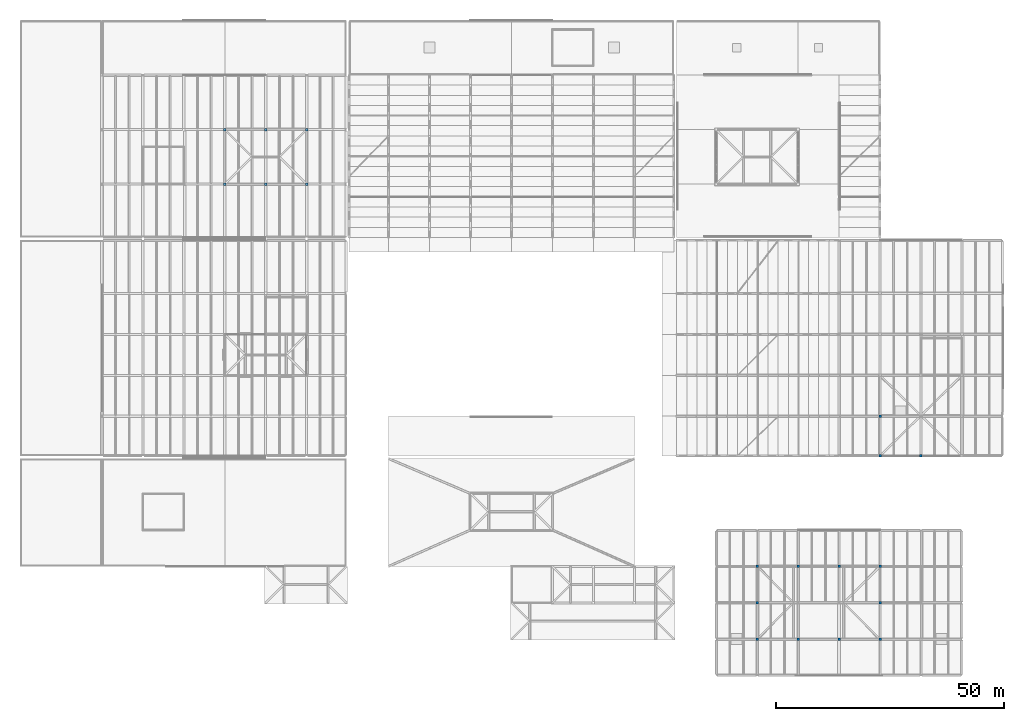
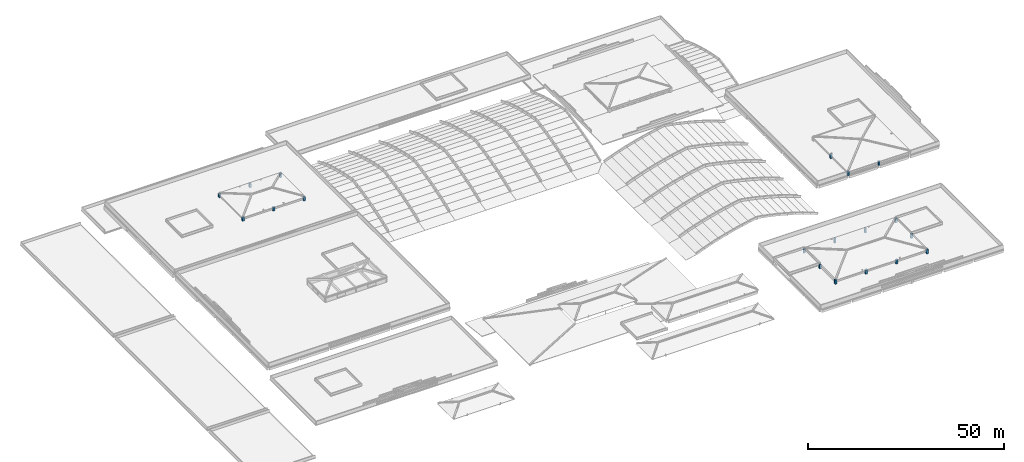
# One storey, part 2 of 56: 19 columns.
"""IFC4 building model written with IfcOpenShell, lengths in metres."""

import ifcopenshell
import ifcopenshell.guid

model = None  # the IFC model being written
_history = None  # IfcOwnerHistory: only IFC2X3 demands one
_inside = {}  # id of a spatial element -> (the spatial element, [elements in it])
_under = {}  # id of a project, library or spatial element -> (it, [spatial elements below it])
_declared = {}  # id of a project -> (the project, [libraries it declares])
_typed = {}  # id of a type object -> (the type object, [elements of that type])
_made_of = {}  # id of a material, layer set ... -> (it, [elements and type objects made of it])


def new_model(schema):
    """Start an empty IFC model of exactly this schema.

    Asked for "IFC4X3", IfcOpenShell would pick the latest addendum, in which some entities
    have other attributes; the version numbers below select the first issue.
    IFC2X3 requires an IfcOwnerHistory on every rooted entity: one is made here for all.
    """
    global model, _history
    if schema == "IFC4X3":
        model = ifcopenshell.file(schema_version=(4, 3, 0, 0))
    else:
        model = ifcopenshell.file(schema=schema)
    _inside.clear()
    _under.clear()
    _declared.clear()
    _typed.clear()
    _made_of.clear()
    _history = None
    if model.schema == "IFC2X3":
        org = make("IfcOrganization", Name="unknown")
        user = make(
            "IfcPersonAndOrganization",
            ThePerson=make("IfcPerson", FamilyName="unknown"),
            TheOrganization=org,
        )
        app = make(
            "IfcApplication",
            ApplicationDeveloper=org,
            Version="unknown",
            ApplicationFullName="unknown",
            ApplicationIdentifier="unknown",
        )
        _history = make(
            "IfcOwnerHistory",
            OwningUser=user,
            OwningApplication=app,
            ChangeAction="ADDED",
            CreationDate=0,
        )
    return model


def make(cls, **values):
    """One entity of the class cls with the attributes given. An attribute that is None is left unset."""
    return model.create_entity(
        cls, **{name: value for name, value in values.items() if value is not None}
    )


def rooted(cls, **values):
    """An entity with a GlobalId (a new one), such as an element, a storey or a relation."""
    return make(cls, GlobalId=ifcopenshell.guid.new(), OwnerHistory=_history, **values)


def si_unit(unit_type, name, prefix=None):
    """IfcSIUnit, for example si_unit("LENGTHUNIT", "METRE", prefix="MILLI")."""
    return make("IfcSIUnit", UnitType=unit_type, Prefix=prefix, Name=name)


def assignment(units):
    """IfcUnitAssignment: the units of a project."""
    return None if units is None else make("IfcUnitAssignment", Units=units)


def point(xyz):
    """IfcCartesianPoint."""
    return None if xyz is None else make("IfcCartesianPoint", Coordinates=xyz)


def direction(xyz):
    """IfcDirection."""
    return None if xyz is None else make("IfcDirection", DirectionRatios=xyz)


def frame(location, z_axis=None, x_axis=None):
    """IfcAxis2Placement3D, a coordinate frame: its origin and axes. An axis left out is left unset."""
    return make(
        "IfcAxis2Placement3D",
        Location=point(location),
        Axis=direction(z_axis),
        RefDirection=direction(x_axis),
    )


def frame_2d(location, x_axis=None):
    """IfcAxis2Placement2D, a coordinate frame in the plane: its origin and x axis."""
    return make(
        "IfcAxis2Placement2D", Location=point(location), RefDirection=direction(x_axis)
    )


def origin():
    """The frame at (0, 0, 0) with its axes left unset."""
    return frame((0.0, 0.0, 0.0))


def origin_2d():
    """The frame at (0, 0) in the plane with its x axis left unset."""
    return frame_2d((0.0, 0.0))


def place(relative_to, where):
    """IfcLocalPlacement: puts the frame where relative to a parent placement (None: the world)."""
    return make(
        "IfcLocalPlacement", PlacementRelTo=relative_to, RelativePlacement=where
    )


def context(
    kind, dimensions, precision=None, world=None, true_north=None, identifier=None
):
    """IfcGeometricRepresentationContext, for example the 3D "Model" context."""
    return make(
        "IfcGeometricRepresentationContext",
        ContextIdentifier=identifier,
        ContextType=kind,
        CoordinateSpaceDimension=dimensions,
        Precision=precision,
        WorldCoordinateSystem=world,
        TrueNorth=true_north,
    )


def subcontext(parent, identifier, kind, view, scale=None):
    """IfcGeometricRepresentationSubContext, for example "Body" below "Model"."""
    return make(
        "IfcGeometricRepresentationSubContext",
        ContextIdentifier=identifier,
        ContextType=kind,
        ParentContext=parent,
        TargetScale=scale,
        TargetView=view,
    )


def project(units=None, contexts=None):
    """IfcProject with its units and contexts."""
    return rooted(
        "IfcProject",
        Name="project",
        RepresentationContexts=contexts,
        UnitsInContext=assignment(units),
    )


def spatial(cls, under=None, at=None, **own):
    """A site, building, storey or space (cls), placed at a placement, below another one or the project."""
    s = rooted(cls, ObjectPlacement=at, **own)
    if under is not None:
        _under.setdefault(under.id(), (under, []))[1].append(s)
    return s


def profile(cls, at=None, kind="AREA", **sizes):
    """A parametric profile (cls). Its sizes go by their IFC names, for example OverallWidth=200.0."""
    return make(cls, ProfileType=kind, Position=at, **sizes)


def rectangle(**sizes):
    """IfcRectangleProfileDef."""
    return profile("IfcRectangleProfileDef", **sizes)


def extrude(swept, where, along, depth):
    """IfcExtrudedAreaSolid: the profile swept, set in the frame where, extruded along a direction by depth."""
    return make(
        "IfcExtrudedAreaSolid",
        SweptArea=swept,
        Position=where,
        ExtrudedDirection=direction(along),
        Depth=depth,
    )


def shape(context_of_items, identifier, shape_type, items):
    """IfcShapeRepresentation: the items that make up one representation, for example the "Body"."""
    return make(
        "IfcShapeRepresentation",
        ContextOfItems=context_of_items,
        RepresentationIdentifier=identifier,
        RepresentationType=shape_type,
        Items=items,
    )


def material(Name=None, Category=None):
    """IfcMaterial."""
    return make("IfcMaterial", Name=Name, Category=Category)


def material_profile(
    of_material, cross_section, Name=None, Category=None, Priority=None
):
    """IfcMaterialProfile: a cross section and its material."""
    return make(
        "IfcMaterialProfile",
        Name=Name,
        Material=of_material,
        Profile=cross_section,
        Priority=Priority,
        Category=Category,
    )


def profile_set(profiles, Name=None, composite=None):
    """IfcMaterialProfileSet."""
    return make(
        "IfcMaterialProfileSet",
        Name=Name,
        MaterialProfiles=profiles,
        CompositeProfile=composite,
    )


def made_of(thing, what):
    """Note that an element or type object is made of a material, layer set ...; save() writes the relation."""
    if what is not None:
        _made_of.setdefault(what.id(), (what, []))[1].append(thing)
    return thing


def type_object(cls, material=None, **own):
    """A type object (cls), such as IfcWallType, which elements share."""
    return made_of(rooted(cls, **own), material)


def element(
    cls,
    number,
    at=None,
    inside=None,
    cuts=None,
    type_object=None,
    material=None,
    context=None,
    identifier="Body",
    shape_type=None,
    held_by="IfcProductDefinitionShape",
    body=None,
    shapes=None,
    **own,
):
    """One element of the class cls, such as IfcWall. Its Tag is "e" and its number.

    at: its placement. inside: the storey or other place that contains it. cuts: it is an
    opening in that element (IfcRelVoidsElement). A single representation is given by context,
    identifier, shape_type and body (its items); several are given by shapes. held_by: the class
    of the entity that holds the representations. save() writes the other relations.
    """
    e = rooted(cls, Tag="e%d" % number, ObjectPlacement=at, **own)
    if body is not None:
        shapes = [shape(context, identifier, shape_type, body)]
    if shapes is not None:
        e.Representation = make(held_by, Representations=shapes)
    if inside is not None:
        _inside.setdefault(inside.id(), (inside, []))[1].append(e)
    if cuts is not None:
        rooted(
            "IfcRelVoidsElement", RelatingBuildingElement=cuts, RelatedOpeningElement=e
        )
    if type_object is not None:
        _typed.setdefault(type_object.id(), (type_object, []))[1].append(e)
    return made_of(e, material)


def aggregate(whole, parts):
    """IfcRelAggregates: a whole, such as a stair, and the parts it consists of."""
    return rooted("IfcRelAggregates", RelatingObject=whole, RelatedObjects=parts)


def save(model, path):
    """Write the relations noted so far, then the file.

    IfcRelAggregates (storeys below a building ...), IfcRelContainedInSpatialStructure (elements
    in a storey), IfcRelDefinesByType, IfcRelAssociatesMaterial and IfcRelDeclares: one each for
    every whole, place, type object, material and project.
    """
    for whole, parts in _under.values():
        aggregate(whole, parts)
    for where, things in _inside.values():
        rooted(
            "IfcRelContainedInSpatialStructure",
            RelatedElements=things,
            RelatingStructure=where,
        )
    for kind, things in _typed.values():
        rooted("IfcRelDefinesByType", RelatedObjects=things, RelatingType=kind)
    for what, things in _made_of.values():
        rooted("IfcRelAssociatesMaterial", RelatedObjects=things, RelatingMaterial=what)
    for by, libraries in _declared.values():
        rooted("IfcRelDeclares", RelatingContext=by, RelatedDefinitions=libraries)
    model.write(path)


model = new_model("IFC4")

# Units and contexts
model_context = context("Model", 3, precision=1e-05, world=origin(), true_north=direction((0.0, 1.0)))
body_context = subcontext(model_context, "Body", "Model", "MODEL_VIEW")
ifc_project = project(units=[si_unit("LENGTHUNIT", "METRE"), si_unit("AREAUNIT", "SQUARE_METRE"), si_unit("VOLUMEUNIT", "CUBIC_METRE"), si_unit("PLANEANGLEUNIT", "RADIAN"), si_unit("MASSUNIT", "GRAM", prefix="KILO")], contexts=[model_context])

# Site, building, storey
site_placement = place(None, origin())
site = spatial("IfcSite", under=ifc_project, at=site_placement, CompositionType="ELEMENT")
building_placement = place(site_placement, origin())
building = spatial("IfcBuilding", under=site, at=building_placement, Name="Zacnel Wholesale Market", CompositionType="ELEMENT")
storey_placement = place(building_placement, frame((0.0, 0.0, 20.300048828125)))
storey = spatial("IfcBuildingStorey", under=building, at=storey_placement, Name="RF", CompositionType="ELEMENT", Elevation=20.300048828125)

# Columns
ifc_material = material(Name="Precast concrete C45/55", Category="concrete")
ifc_material_profile = material_profile(ifc_material, rectangle(XDim=0.550048828125, YDim=0.550048828125, at=origin_2d()), Name="PC 550x550")
ifc_profile_set = profile_set([ifc_material_profile], Name="Precast concrete C45/55")
column_type = type_object("IfcColumnType", Name="COL-PC550", PredefinedType="COLUMN", material=ifc_profile_set)
for number, where, z_axis, x_axis, name in (
    (1, (162.0, 8.0, 0.0), (0.0, 0.0, 1.0), (1.0, 0.0, 0.0), "Attic crown column V5ZIG-01"),
    (2, (162.0, 16.0, 0.0), (0.0, 0.0, 1.0), (1.0, 0.0, 0.0), "Attic crown column V5ZIG-02"),
    (3, (162.0, 24.0, 0.0), (0.0, 0.0, 1.0), (1.0, 0.0, 0.0), "Attic crown column V5ZIG-03"),
    (4, (171.0, 8.0, 0.0), (0.0, 0.0, 1.0), (1.0, 0.0, 0.0), "Attic crown column V5ZIG-04"),
    (5, (171.0, 24.0, 0.0), (0.0, 0.0, 1.0), (1.0, 0.0, 0.0), "Attic crown column V5ZIG-05"),
    (6, (180.0, 8.0, 0.0), (0.0, 0.0, 1.0), (1.0, 0.0, 0.0), "Attic crown column V5ZIG-06"),
    (7, (180.0, 24.0, 0.0), (0.0, 0.0, 1.0), (1.0, 0.0, 0.0), "Attic crown column V5ZIG-07"),
    (8, (189.0, 8.0, 0.0), (0.0, 0.0, 1.0), (1.0, 0.0, 0.0), "Attic crown column V5ZIG-08"),
    (9, (189.0, 16.0, 0.0), (0.0, 0.0, 1.0), (1.0, 0.0, 0.0), "Attic crown column V5ZIG-09"),
    (10, (189.0, 24.0, 0.0), (0.0, 0.0, 1.0), (1.0, 0.0, 0.0), "Attic crown column V5ZIG-10"),
):
    element("IfcColumn", number, at=place(storey_placement, frame(where, z_axis=z_axis, x_axis=x_axis)), inside=storey, type_object=column_type, Name=name, PredefinedType="COLUMN", context=body_context, shape_type="SweptSolid", body=[
        extrude(rectangle(XDim=0.550048828125, YDim=0.550048828125, at=origin_2d()), origin(), (0.0, 0.0, 1.0), 1.349853515625),
    ])
for number, where, z_axis, x_axis, name in (
    (11, (189.0, 48.300048828125, 0.0), (0.0, 0.0, 1.0), (1.0, 0.0, 0.0), "Attic crown column V1ELAN-01"),
    (12, (189.0, 57.0, 0.0), (0.0, 0.0, 1.0), (1.0, 0.0, 0.0), "Attic crown column V1ELAN-02"),
    (13, (198.0, 48.300048828125, 0.0), (0.0, 0.0, 1.0), (1.0, 0.0, 0.0), "Attic crown column V1ELAN-04"),
):
    element("IfcColumn", number, at=place(storey_placement, frame(where, z_axis=z_axis, x_axis=x_axis)), inside=storey, type_object=column_type, Name=name, PredefinedType="COLUMN", context=body_context, shape_type="SweptSolid", body=[
        extrude(rectangle(XDim=0.550048828125, YDim=0.550048828125, at=origin_2d()), origin(), (0.0, 0.0, 1.0), 1.25),
    ])
for number, where, z_axis, x_axis, name in (
    (14, (45.0, 108.0, 0.0), (0.0, 0.0, 1.0), (1.0, 0.0, 0.0), "Attic crown column V3NLAN-01"),
    (15, (45.0, 120.0, 0.0), (0.0, 0.0, 1.0), (1.0, 0.0, 0.0), "Attic crown column V3NLAN-02"),
    (16, (54.0, 108.0, 0.0), (0.0, 0.0, 1.0), (1.0, 0.0, 0.0), "Attic crown column V3NLAN-03"),
    (17, (54.0, 120.0, 0.0), (0.0, 0.0, 1.0), (1.0, 0.0, 0.0), "Attic crown column V3NLAN-04"),
    (18, (63.0, 108.0, 0.0), (0.0, 0.0, 1.0), (1.0, 0.0, 0.0), "Attic crown column V3NLAN-05"),
    (19, (63.0, 120.0, 0.0), (0.0, 0.0, 1.0), (1.0, 0.0, 0.0), "Attic crown column V3NLAN-06"),
):
    element("IfcColumn", number, at=place(storey_placement, frame(where, z_axis=z_axis, x_axis=x_axis)), inside=storey, type_object=column_type, Name=name, PredefinedType="COLUMN", context=body_context, shape_type="SweptSolid", body=[
        extrude(rectangle(XDim=0.550048828125, YDim=0.550048828125, at=origin_2d()), origin(), (0.0, 0.0, 1.0), 1.199951171875),
    ])

save(model, "model.ifc")
